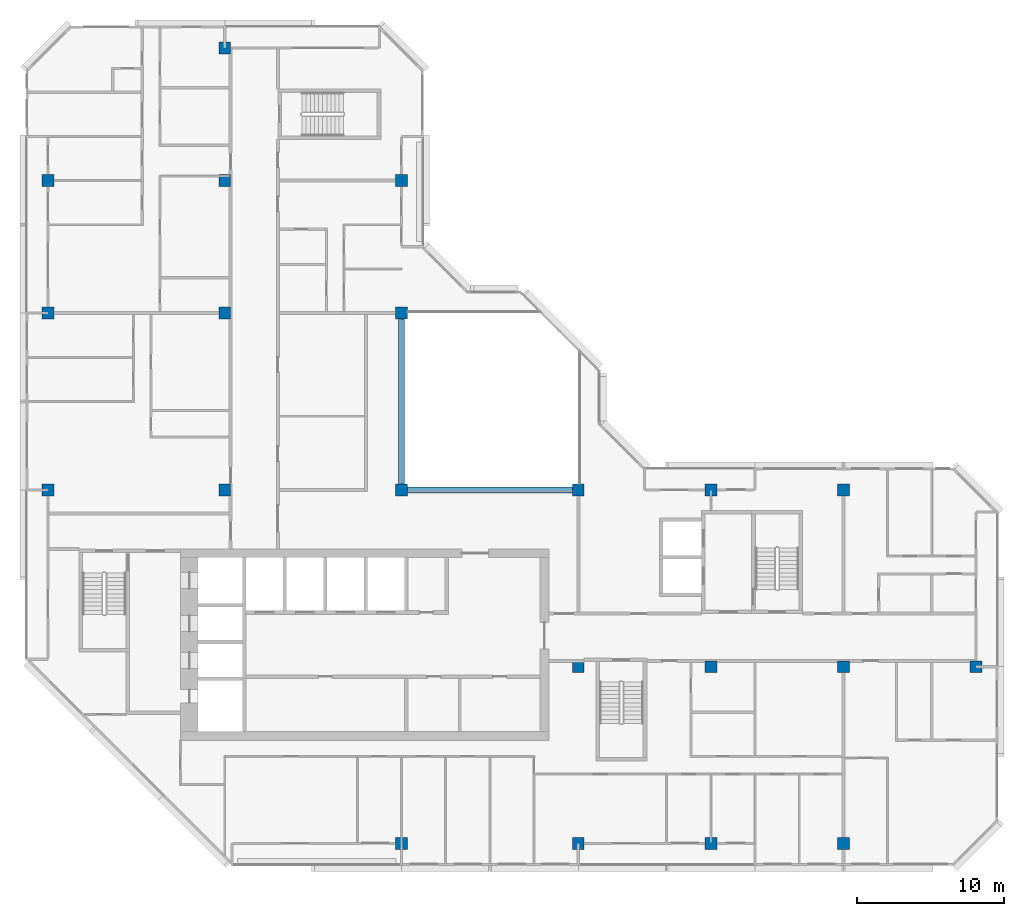
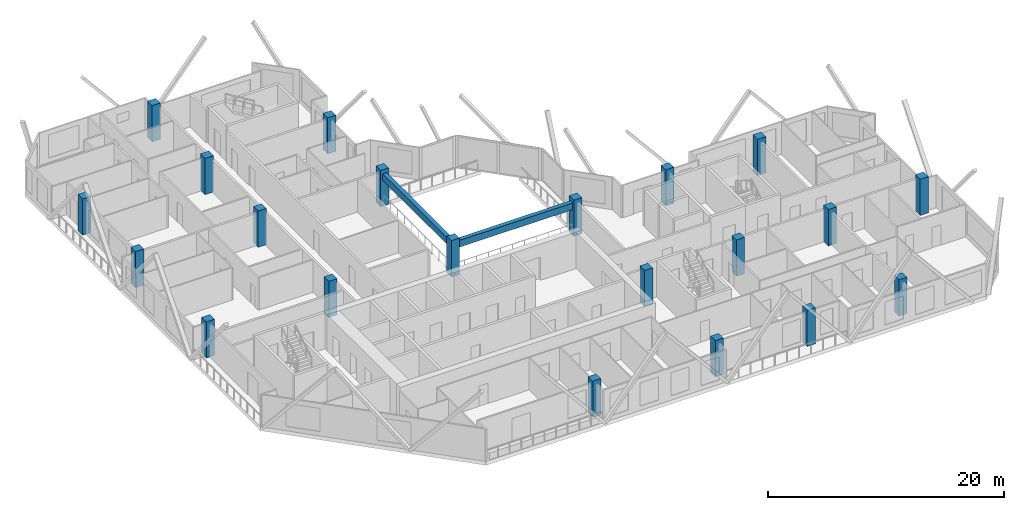
# One storey, part 1 of 13: 21 columns, 2 beams.
"""IFC4 building model written with IfcOpenShell, lengths in metres."""

from ifc_helpers import new_model, si_unit, direction, frame, origin, origin_2d, place, context, subcontext, project, spatial, rectangle, extrude, material, material_profile, profile_set, type_object, element, save


model = new_model("IFC4")

# Units and contexts
model_context = context("Model", 3, precision=1e-05, world=origin(), true_north=direction((0.0, 1.0)))
body_context = subcontext(model_context, "Body", "Model", "MODEL_VIEW")
ifc_project = project(units=[si_unit("LENGTHUNIT", "METRE"), si_unit("AREAUNIT", "SQUARE_METRE"), si_unit("VOLUMEUNIT", "CUBIC_METRE"), si_unit("PLANEANGLEUNIT", "RADIAN"), si_unit("MASSUNIT", "GRAM", prefix="KILO")], contexts=[model_context])

# Site, building, storey
site_placement = place(None, origin())
site = spatial("IfcSite", under=ifc_project, at=site_placement, CompositionType="ELEMENT")
building_placement = place(site_placement, origin())
building = spatial("IfcBuilding", under=site, at=building_placement, Name="Chenar Terraces", CompositionType="ELEMENT")
storey_placement = place(building_placement, frame((0.0, 0.0, 280.89990234375)))
storey = spatial("IfcBuildingStorey", under=building, at=storey_placement, Name="L65", CompositionType="ELEMENT", Elevation=280.89990234375)

# Columns
ifc_material_1 = material(Name="Concrete C50/60", Category="concrete")
ifc_material_profile_1 = material_profile(ifc_material_1, rectangle(XDim=0.800048828125, YDim=0.800048828125, at=origin_2d()), Name="C 800 x 800")
ifc_profile_set_1 = profile_set([ifc_material_profile_1], Name="Concrete C50/60")
column_type = type_object("IfcColumnType", Name="Column C 800 x 800 Concrete C50/60", PredefinedType="COLUMN", material=ifc_profile_set_1)
column_1_placement = place(storey_placement, frame((0.0, 24.0, 0.0), z_axis=(0.0, 0.0, 1.0), x_axis=(1.0, 0.0, 0.0)))
element("IfcColumn", 1, at=column_1_placement, inside=storey, type_object=column_type, Name="Column 5/G L65", PredefinedType="COLUMN", context=body_context, shape_type="SweptSolid", body=[
    extrude(rectangle(XDim=0.800048828125, YDim=0.800048828125, at=origin_2d()), origin(), (0.0, 0.0, 1.0), 3.75),
])
column_2_placement = place(storey_placement, frame((0.0, 36.0, 0.0), z_axis=(0.0, 0.0, 1.0), x_axis=(1.0, 0.0, 0.0)))
element("IfcColumn", 2, at=column_2_placement, inside=storey, type_object=column_type, Name="Column 5/H L65", PredefinedType="COLUMN", context=body_context, shape_type="SweptSolid", body=[
    extrude(rectangle(XDim=0.800048828125, YDim=0.800048828125, at=origin_2d()), origin(), (0.0, 0.0, 1.0), 3.75),
])
for number, where, z_axis, x_axis, name in (
    (3, (0.0, 45.0, 0.0), (0.0, 0.0, 1.0), (1.0, 0.0, 0.0), "Column 5/J L65"),
    (4, (12.0, 24.0, 0.0), (0.0, 0.0, 1.0), (1.0, 0.0, 0.0), "Column 6/G L65"),
    (5, (12.0, 36.0, 0.0), (0.0, 0.0, 1.0), (1.0, 0.0, 0.0), "Column 6/H L65"),
    (6, (12.0, 45.0, 0.0), (0.0, 0.0, 1.0), (1.0, 0.0, 0.0), "Column 6/J L65"),
    (7, (12.0, 54.0, 0.0), (0.0, 0.0, 1.0), (1.0, 0.0, 0.0), "Column 6/K L65"),
    (8, (24.0, 0.0, 0.0), (0.0, 0.0, 1.0), (1.0, 0.0, 0.0), "Column 7/E L65"),
    (9, (24.0, 24.0, 0.0), (0.0, 0.0, 1.0), (1.0, 0.0, 0.0), "Column 7/G L65"),
    (10, (24.0, 36.0, 0.0), (0.0, 0.0, 1.0), (1.0, 0.0, 0.0), "Column 7/H L65"),
    (11, (24.0, 45.0, 0.0), (0.0, 0.0, 1.0), (1.0, 0.0, 0.0), "Column 7/J L65"),
    (12, (36.0, 0.0, 0.0), (0.0, 0.0, 1.0), (1.0, 0.0, 0.0), "Column 8/E L65"),
    (13, (36.0, 12.0, 0.0), (0.0, 0.0, 1.0), (1.0, 0.0, 0.0), "Column 8/F L65"),
    (14, (36.0, 24.0, 0.0), (0.0, 0.0, 1.0), (1.0, 0.0, 0.0), "Column 8/G L65"),
    (15, (45.0, 0.0, 0.0), (0.0, 0.0, 1.0), (1.0, 0.0, 0.0), "Column 9/E L65"),
    (16, (45.0, 12.0, 0.0), (0.0, 0.0, 1.0), (1.0, 0.0, 0.0), "Column 9/F L65"),
    (17, (45.0, 24.0, 0.0), (0.0, 0.0, 1.0), (1.0, 0.0, 0.0), "Column 9/G L65"),
    (18, (54.0, 0.0, 0.0), (0.0, 0.0, 1.0), (1.0, 0.0, 0.0), "Column 10/E L65"),
    (19, (54.0, 12.0, 0.0), (0.0, 0.0, 1.0), (1.0, 0.0, 0.0), "Column 10/F L65"),
    (20, (54.0, 24.0, 0.0), (0.0, 0.0, 1.0), (1.0, 0.0, 0.0), "Column 10/G L65"),
    (21, (63.0, 12.0, 0.0), (0.0, 0.0, 1.0), (1.0, 0.0, 0.0), "Column 11/F L65"),
):
    element("IfcColumn", number, at=place(storey_placement, frame(where, z_axis=z_axis, x_axis=x_axis)), inside=storey, type_object=column_type, Name=name, PredefinedType="COLUMN", context=body_context, shape_type="SweptSolid", body=[
        extrude(rectangle(XDim=0.800048828125, YDim=0.800048828125, at=origin_2d()), origin(), (0.0, 0.0, 1.0), 3.75),
    ])

# Beams
ifc_material_2 = material(Name="Concrete C40/50", Category="concrete")
ifc_material_profile_2 = material_profile(ifc_material_2, rectangle(XDim=0.39990234375, YDim=0.699951171875, at=origin_2d()), Name="RC 400 x 700")
ifc_profile_set_2 = profile_set([ifc_material_profile_2], Name="Concrete C40/50")
beam_type = type_object("IfcBeamType", Name="Atrium edge beam 400 x 700 Concrete C40/50", PredefinedType="BEAM", material=ifc_profile_set_2)
for number, where, z_axis, x_axis, name in (
    (22, (24.39990234375, 24.0, 3.0), (1.0, 0.0, 0.0), (0.0, 1.0, 0.0), "Atrium edge beam L66 1"),
    (23, (24.0, 35.60009765625, 3.0), (0.0, -1.0, 0.0), (1.0, 0.0, 0.0), "Atrium edge beam L66 4"),
):
    element("IfcBeam", number, at=place(storey_placement, frame(where, z_axis=z_axis, x_axis=x_axis)), inside=storey, type_object=beam_type, Name=name, PredefinedType="BEAM", context=body_context, shape_type="SweptSolid", body=[
        extrude(rectangle(XDim=0.39990234375, YDim=0.699951171875, at=origin_2d()), origin(), (0.0, 0.0, 1.0), 11.2001953125),
    ])

save(model, "model.ifc")
